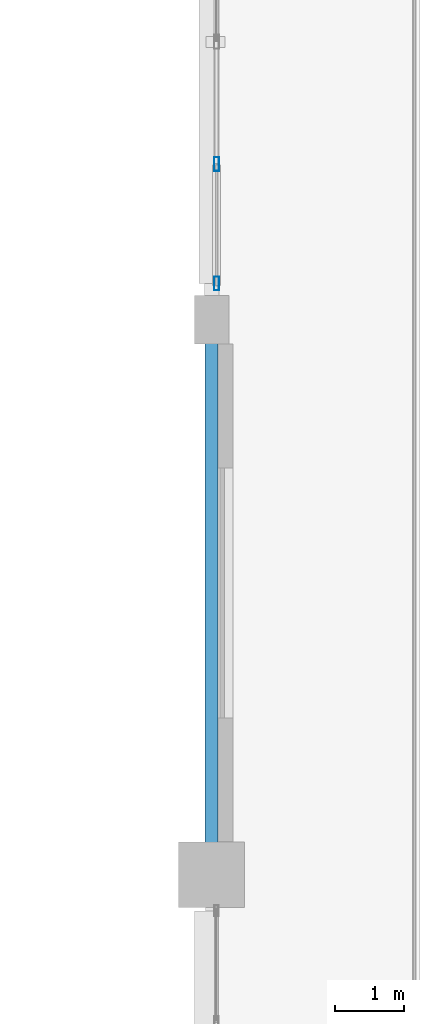
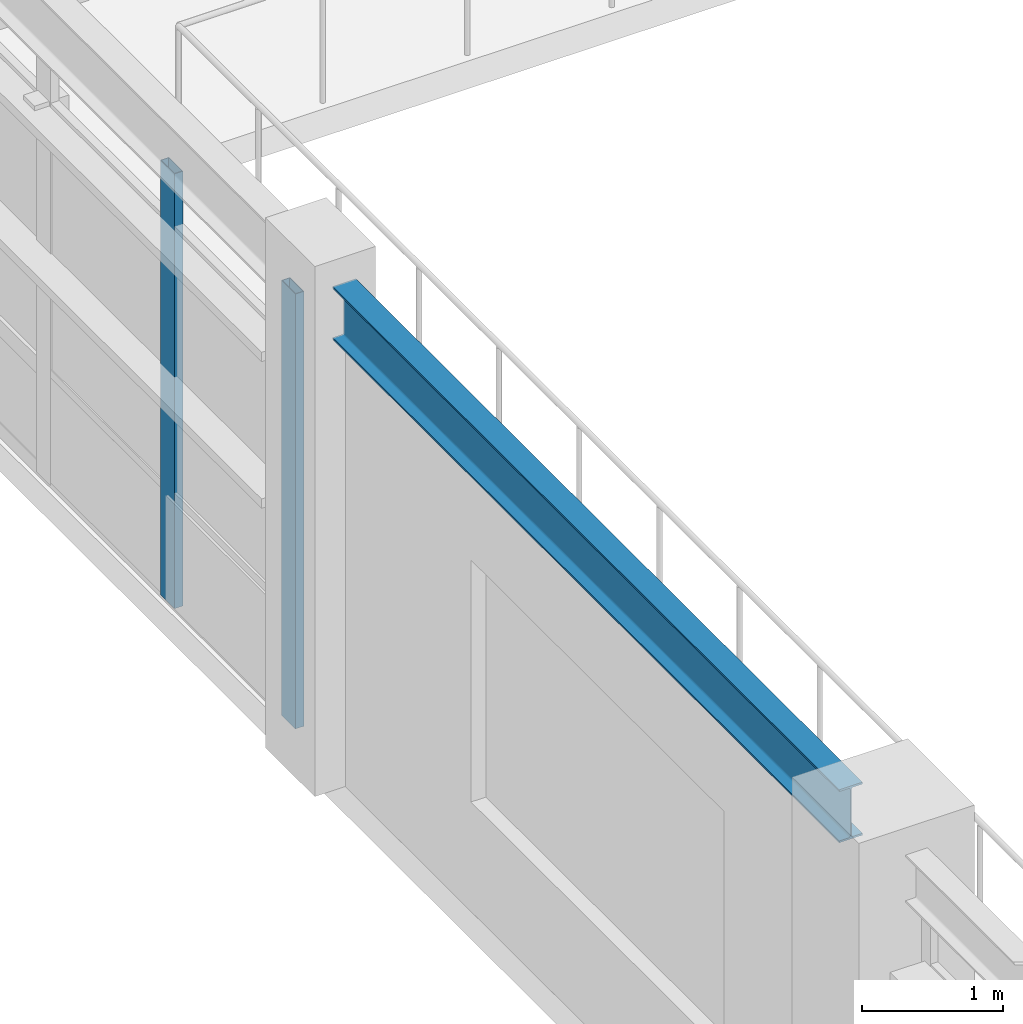
# One storey, part 98 of 168: 2 members, 1 beam, 1 element without a shape of its own.
"""IFC4 building model written with IfcOpenShell, lengths in metres."""

from ifc_helpers import new_model, si_unit, direction, frame, origin, origin_2d, place, context, subcontext, project, spatial, hollow_rectangle, i_section, extrude, material, material_profile, profile_set, type_object, element, aggregate, save


model = new_model("IFC4")

# Units and contexts
model_context = context("Model", 3, precision=1e-05, world=origin(), true_north=direction((0.0, 1.0)))
body_context = subcontext(model_context, "Body", "Model", "MODEL_VIEW")
ifc_project = project(units=[si_unit("LENGTHUNIT", "METRE"), si_unit("AREAUNIT", "SQUARE_METRE"), si_unit("VOLUMEUNIT", "CUBIC_METRE"), si_unit("PLANEANGLEUNIT", "RADIAN"), si_unit("MASSUNIT", "GRAM", prefix="KILO"), si_unit("THERMODYNAMICTEMPERATUREUNIT", "KELVIN"), si_unit("POWERUNIT", "WATT")], contexts=[model_context])

# Site, building, storey
site_placement = place(None, origin())
site = spatial("IfcSite", under=ifc_project, at=site_placement, CompositionType="ELEMENT")
building_placement = place(site_placement, origin())
building = spatial("IfcBuilding", under=site, at=building_placement, Name="Tepalcoro Natatorium and Aquatics Centre", CompositionType="ELEMENT")
storey_placement = place(building_placement, frame((0.0, 0.0, 10.199951171875)))
storey = spatial("IfcBuildingStorey", under=building, at=storey_placement, Name="L02", CompositionType="ELEMENT", Elevation=10.199951171875)

# Curtain wall, members
ifc_material_1 = material(Name="Bronze-Anodised Extruded Aluminium Alloy EN AW-6063 T6", Category="aluminium")
curtain_wall_type = type_object("IfcCurtainWallType", Name="CW_LEAN_T2_EW", PredefinedType="USERDEFINED", material=ifc_material_1)
curtain_wall_placement = place(storey_placement, origin())
curtain_wall = element("IfcCurtainWall", 1, at=curtain_wall_placement, inside=storey, type_object=curtain_wall_type, Name="V2 L02 W Unitised Curtain Wall Bay 5", ObjectType="FACETED SOLAR GLAZING", PredefinedType="USERDEFINED")
ifc_material_profile_1 = material_profile(ifc_material_1, hollow_rectangle(XDim=0.070068359375, YDim=0.199951171875, WallThickness=0.0048828125, at=origin_2d()), Name="AL70X200X5")
ifc_profile_set_1 = profile_set([ifc_material_profile_1], Name="Bronze-Anodised Extruded Aluminium Alloy EN AW-6063 T6")
member_type = type_object("IfcMemberType", Name="CW_MUL_70x200", PredefinedType="MULLION", material=ifc_profile_set_1)
member_1_placement = place(storey_placement, frame((142.0712890625, 36.52001953125, 0.02001953125), z_axis=(0.0, 0.0, 1.0), x_axis=(1.0, 0.0, 0.0)))
member_1 = element("IfcMember", 2, at=member_1_placement, type_object=member_type, Name="CW_LEAN_T2_EW Curtain Wall Mullion", PredefinedType="MULLION", context=body_context, shape_type="SweptSolid", body=[
    extrude(hollow_rectangle(XDim=0.070068359375, YDim=0.199951171875, WallThickness=0.0048828125, at=origin_2d()), origin(), (0.0, 0.0, 1.0), 3.77392578125),
])
member_2_placement = place(storey_placement, frame((142.0712890625, 38.239990234375, 0.02001953125), z_axis=(0.0, 0.0, 1.0), x_axis=(1.0, 0.0, 0.0)))
member_2 = element("IfcMember", 3, at=member_2_placement, type_object=member_type, Name="CW_LEAN_T2_EW Curtain Wall Mullion", PredefinedType="MULLION", context=body_context, shape_type="SweptSolid", body=[
    extrude(hollow_rectangle(XDim=0.070068359375, YDim=0.199951171875, WallThickness=0.0048828125, at=origin_2d()), origin(), (0.0, 0.0, 1.0), 3.77392578125),
])
aggregate(curtain_wall, [member_1, member_2])

# Beam
ifc_material_2 = material(Name="Steel ASTM A992 Grade 50 (Fy 345 MPa)", Category="steel")
ifc_material_profile_2 = material_profile(ifc_material_2, i_section(OverallWidth=0.19091796875, OverallDepth=0.4599609375, WebThickness=0.010009765625, FlangeThickness=0.01611328125, FilletRadius=0.013916015625, at=origin_2d()), Name="W18X55")
ifc_profile_set_2 = profile_set([ifc_material_profile_2], Name="Steel ASTM A992 Grade 50 (Fy 345 MPa)")
beam_type = type_object("IfcBeamType", Name="SP_W18x55", PredefinedType="SPANDREL", material=ifc_profile_set_2)
beam_placement = place(storey_placement, frame((142.0, 28.4599609375, 4.135009765625), z_axis=(0.0, 1.0, 0.0), x_axis=(-1.0, 0.0, 0.0)))
element("IfcBeam", 4, at=beam_placement, inside=storey, type_object=beam_type, Name="V2 L02 Grid Girder Y", PredefinedType="SPANDREL", context=body_context, shape_type="SweptSolid", body=[
    extrude(i_section(OverallWidth=0.19091796875, OverallDepth=0.4599609375, WebThickness=0.010009765625, FlangeThickness=0.01611328125, FilletRadius=0.013916015625, at=origin_2d()), origin(), (0.0, 0.0, 1.0), 7.205078125),
])

save(model, "model.ifc")
